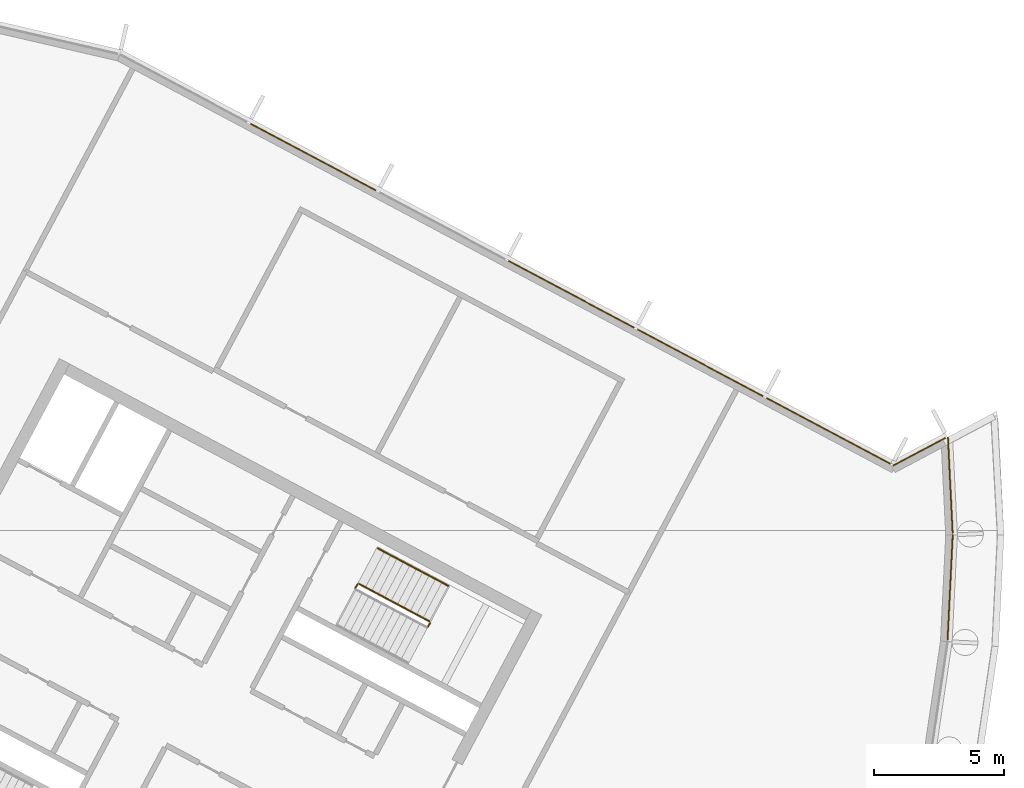
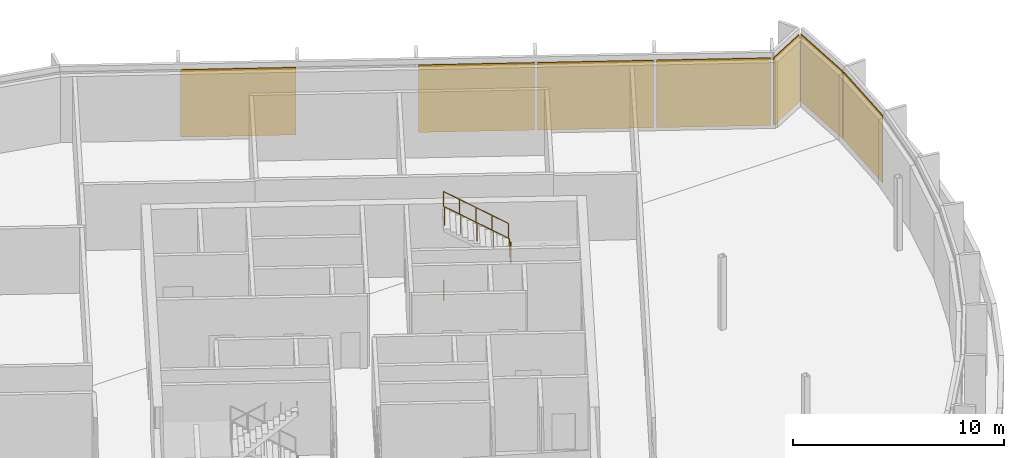
# One storey, part 14 of 15: 7 coverings, 4 railings, 4 elements without a shape of their own.
"""IFC4 building model written with IfcOpenShell, lengths in metres."""

import ifcopenshell
import ifcopenshell.guid

model = None  # the IFC model being written
_history = None  # IfcOwnerHistory: only IFC2X3 demands one
_inside = {}  # id of a spatial element -> (the spatial element, [elements in it])
_under = {}  # id of a project, library or spatial element -> (it, [spatial elements below it])
_declared = {}  # id of a project -> (the project, [libraries it declares])
_typed = {}  # id of a type object -> (the type object, [elements of that type])
_made_of = {}  # id of a material, layer set ... -> (it, [elements and type objects made of it])


def new_model(schema):
    """Start an empty IFC model of exactly this schema.

    Asked for "IFC4X3", IfcOpenShell would pick the latest addendum, in which some entities
    have other attributes; the version numbers below select the first issue.
    IFC2X3 requires an IfcOwnerHistory on every rooted entity: one is made here for all.
    """
    global model, _history
    if schema == "IFC4X3":
        model = ifcopenshell.file(schema_version=(4, 3, 0, 0))
    else:
        model = ifcopenshell.file(schema=schema)
    _inside.clear()
    _under.clear()
    _declared.clear()
    _typed.clear()
    _made_of.clear()
    _history = None
    if model.schema == "IFC2X3":
        org = make("IfcOrganization", Name="unknown")
        user = make(
            "IfcPersonAndOrganization",
            ThePerson=make("IfcPerson", FamilyName="unknown"),
            TheOrganization=org,
        )
        app = make(
            "IfcApplication",
            ApplicationDeveloper=org,
            Version="unknown",
            ApplicationFullName="unknown",
            ApplicationIdentifier="unknown",
        )
        _history = make(
            "IfcOwnerHistory",
            OwningUser=user,
            OwningApplication=app,
            ChangeAction="ADDED",
            CreationDate=0,
        )
    return model


def make(cls, **values):
    """One entity of the class cls with the attributes given. An attribute that is None is left unset."""
    return model.create_entity(
        cls, **{name: value for name, value in values.items() if value is not None}
    )


def rooted(cls, **values):
    """An entity with a GlobalId (a new one), such as an element, a storey or a relation."""
    return make(cls, GlobalId=ifcopenshell.guid.new(), OwnerHistory=_history, **values)


def si_unit(unit_type, name, prefix=None):
    """IfcSIUnit, for example si_unit("LENGTHUNIT", "METRE", prefix="MILLI")."""
    return make("IfcSIUnit", UnitType=unit_type, Prefix=prefix, Name=name)


def assignment(units):
    """IfcUnitAssignment: the units of a project."""
    return None if units is None else make("IfcUnitAssignment", Units=units)


def point(xyz):
    """IfcCartesianPoint."""
    return None if xyz is None else make("IfcCartesianPoint", Coordinates=xyz)


def direction(xyz):
    """IfcDirection."""
    return None if xyz is None else make("IfcDirection", DirectionRatios=xyz)


def frame(location, z_axis=None, x_axis=None):
    """IfcAxis2Placement3D, a coordinate frame: its origin and axes. An axis left out is left unset."""
    return make(
        "IfcAxis2Placement3D",
        Location=point(location),
        Axis=direction(z_axis),
        RefDirection=direction(x_axis),
    )


def frame_2d(location, x_axis=None):
    """IfcAxis2Placement2D, a coordinate frame in the plane: its origin and x axis."""
    return make(
        "IfcAxis2Placement2D", Location=point(location), RefDirection=direction(x_axis)
    )


def origin():
    """The frame at (0, 0, 0) with its axes left unset."""
    return frame((0.0, 0.0, 0.0))


def origin_2d():
    """The frame at (0, 0) in the plane with its x axis left unset."""
    return frame_2d((0.0, 0.0))


def place(relative_to, where):
    """IfcLocalPlacement: puts the frame where relative to a parent placement (None: the world)."""
    return make(
        "IfcLocalPlacement", PlacementRelTo=relative_to, RelativePlacement=where
    )


def context(
    kind, dimensions, precision=None, world=None, true_north=None, identifier=None
):
    """IfcGeometricRepresentationContext, for example the 3D "Model" context."""
    return make(
        "IfcGeometricRepresentationContext",
        ContextIdentifier=identifier,
        ContextType=kind,
        CoordinateSpaceDimension=dimensions,
        Precision=precision,
        WorldCoordinateSystem=world,
        TrueNorth=true_north,
    )


def subcontext(parent, identifier, kind, view, scale=None):
    """IfcGeometricRepresentationSubContext, for example "Body" below "Model"."""
    return make(
        "IfcGeometricRepresentationSubContext",
        ContextIdentifier=identifier,
        ContextType=kind,
        ParentContext=parent,
        TargetScale=scale,
        TargetView=view,
    )


def project(units=None, contexts=None):
    """IfcProject with its units and contexts."""
    return rooted(
        "IfcProject",
        Name="project",
        RepresentationContexts=contexts,
        UnitsInContext=assignment(units),
    )


def spatial(cls, under=None, at=None, **own):
    """A site, building, storey or space (cls), placed at a placement, below another one or the project."""
    s = rooted(cls, ObjectPlacement=at, **own)
    if under is not None:
        _under.setdefault(under.id(), (under, []))[1].append(s)
    return s


def polyline(points):
    """IfcPolyline through the points."""
    return make("IfcPolyline", Points=[point(p) for p in points])


def profile(cls, at=None, kind="AREA", **sizes):
    """A parametric profile (cls). Its sizes go by their IFC names, for example OverallWidth=200.0."""
    return make(cls, ProfileType=kind, Position=at, **sizes)


def rectangle(**sizes):
    """IfcRectangleProfileDef."""
    return profile("IfcRectangleProfileDef", **sizes)


def outline(outer, holes=None, kind="AREA"):
    """IfcArbitraryClosedProfileDef: a profile drawn as a closed curve; with holes, ...WithVoids."""
    if holes is None:
        return make("IfcArbitraryClosedProfileDef", ProfileType=kind, OuterCurve=outer)
    return make(
        "IfcArbitraryProfileDefWithVoids",
        ProfileType=kind,
        OuterCurve=outer,
        InnerCurves=holes,
    )


def extrude(swept, where, along, depth):
    """IfcExtrudedAreaSolid: the profile swept, set in the frame where, extruded along a direction by depth."""
    return make(
        "IfcExtrudedAreaSolid",
        SweptArea=swept,
        Position=where,
        ExtrudedDirection=direction(along),
        Depth=depth,
    )


def shape(context_of_items, identifier, shape_type, items):
    """IfcShapeRepresentation: the items that make up one representation, for example the "Body"."""
    return make(
        "IfcShapeRepresentation",
        ContextOfItems=context_of_items,
        RepresentationIdentifier=identifier,
        RepresentationType=shape_type,
        Items=items,
    )


def material(Name=None, Category=None):
    """IfcMaterial."""
    return make("IfcMaterial", Name=Name, Category=Category)


def layer(
    of_material, thickness, ventilated=None, Name=None, Category=None, Priority=None
):
    """IfcMaterialLayer: one layer of a wall or slab, of a material (None: an air gap)."""
    return make(
        "IfcMaterialLayer",
        Material=of_material,
        LayerThickness=thickness,
        IsVentilated=ventilated,
        Name=Name,
        Category=Category,
        Priority=Priority,
    )


def layer_set(layers, Name=None):
    """IfcMaterialLayerSet."""
    return make("IfcMaterialLayerSet", MaterialLayers=layers, LayerSetName=Name)


def made_of(thing, what):
    """Note that an element or type object is made of a material, layer set ...; save() writes the relation."""
    if what is not None:
        _made_of.setdefault(what.id(), (what, []))[1].append(thing)
    return thing


def type_object(cls, material=None, **own):
    """A type object (cls), such as IfcWallType, which elements share."""
    return made_of(rooted(cls, **own), material)


def element(
    cls,
    number,
    at=None,
    inside=None,
    cuts=None,
    type_object=None,
    material=None,
    context=None,
    identifier="Body",
    shape_type=None,
    held_by="IfcProductDefinitionShape",
    body=None,
    shapes=None,
    **own,
):
    """One element of the class cls, such as IfcWall. Its Tag is "e" and its number.

    at: its placement. inside: the storey or other place that contains it. cuts: it is an
    opening in that element (IfcRelVoidsElement). A single representation is given by context,
    identifier, shape_type and body (its items); several are given by shapes. held_by: the class
    of the entity that holds the representations. save() writes the other relations.
    """
    e = rooted(cls, Tag="e%d" % number, ObjectPlacement=at, **own)
    if body is not None:
        shapes = [shape(context, identifier, shape_type, body)]
    if shapes is not None:
        e.Representation = make(held_by, Representations=shapes)
    if inside is not None:
        _inside.setdefault(inside.id(), (inside, []))[1].append(e)
    if cuts is not None:
        rooted(
            "IfcRelVoidsElement", RelatingBuildingElement=cuts, RelatedOpeningElement=e
        )
    if type_object is not None:
        _typed.setdefault(type_object.id(), (type_object, []))[1].append(e)
    return made_of(e, material)


def aggregate(whole, parts):
    """IfcRelAggregates: a whole, such as a stair, and the parts it consists of."""
    return rooted("IfcRelAggregates", RelatingObject=whole, RelatedObjects=parts)


def save(model, path):
    """Write the relations noted so far, then the file.

    IfcRelAggregates (storeys below a building ...), IfcRelContainedInSpatialStructure (elements
    in a storey), IfcRelDefinesByType, IfcRelAssociatesMaterial and IfcRelDeclares: one each for
    every whole, place, type object, material and project.
    """
    for whole, parts in _under.values():
        aggregate(whole, parts)
    for where, things in _inside.values():
        rooted(
            "IfcRelContainedInSpatialStructure",
            RelatedElements=things,
            RelatingStructure=where,
        )
    for kind, things in _typed.values():
        rooted("IfcRelDefinesByType", RelatedObjects=things, RelatingType=kind)
    for what, things in _made_of.values():
        rooted("IfcRelAssociatesMaterial", RelatedObjects=things, RelatingMaterial=what)
    for by, libraries in _declared.values():
        rooted("IfcRelDeclares", RelatingContext=by, RelatedDefinitions=libraries)
    model.write(path)


model = new_model("IFC4")

# Units and contexts
model_context = context("Model", 3, precision=1e-05, world=origin(), true_north=direction((0.0, 1.0)))
body_context = subcontext(model_context, "Body", "Model", "MODEL_VIEW")
ifc_project = project(units=[si_unit("LENGTHUNIT", "METRE"), si_unit("AREAUNIT", "SQUARE_METRE"), si_unit("VOLUMEUNIT", "CUBIC_METRE"), si_unit("PLANEANGLEUNIT", "RADIAN"), si_unit("MASSUNIT", "GRAM", prefix="KILO")], contexts=[model_context])

# Site, building, storey
site_placement = place(None, origin())
site = spatial("IfcSite", under=ifc_project, at=site_placement, CompositionType="ELEMENT")
building_placement = place(site_placement, origin())
building = spatial("IfcBuilding", under=site, at=building_placement, Name="Cormorant Relay Tower", CompositionType="ELEMENT")
storey_placement = place(building_placement, frame((0.0, 0.0, 336.60009765625)))
storey = spatial("IfcBuildingStorey", under=building, at=storey_placement, Name="C3", CompositionType="ELEMENT", Elevation=336.60009765625)

# Curtain wall, covering
ifc_material_1 = material(Name="Aluminium 6063-T6 anodised bronze", Category="aluminium")
ifc_layer_1 = layer(ifc_material_1, 0.199951171875)
ifc_layer_set_1 = layer_set([ifc_layer_1], Name="CW3 crown screen wall")
curtain_wall_type = type_object("IfcCurtainWallType", Name="CW3 crown screen wall", PredefinedType="NOTDEFINED", material=ifc_layer_set_1)
curtain_wall_1_placement = place(storey_placement, origin())
curtain_wall_1 = element("IfcCurtainWall", 1, at=curtain_wall_1_placement, inside=storey, type_object=curtain_wall_type, Name="CW3 curtain wall 12", PredefinedType="NOTDEFINED")
ifc_material_2 = material(Name="Perforated bronze anodised aluminium screen", Category="aluminium")
ifc_layer_2 = layer(ifc_material_2, 0.0400390625)
ifc_layer_set_2 = layer_set([ifc_layer_2], Name="CW3 perforated bronze screen panel 40")
covering_type = type_object("IfcCoveringType", Name="CW3 perforated bronze screen panel 40", PredefinedType="CLADDING", material=ifc_layer_set_2)
covering_1_placement = place(storey_placement, frame((2.18798828125, 19.104248046875, 0.0), z_axis=(0.0, 0.0, 1.0), x_axis=(0.049067674327, 0.998795456205, 0.0)))
covering_1 = element("IfcCovering", 2, at=covering_1_placement, type_object=covering_type, Name="CW3 panel X00", PredefinedType="CLADDING", context=body_context, shape_type="SweptSolid", body=[
    extrude(rectangle(XDim=4.046630859375, YDim=0.0400390625, at=origin_2d()), origin(), (0.0, 0.0, 1.0), 3.89990234375),
])
aggregate(curtain_wall_1, [covering_1])

curtain_wall_2_placement = place(storey_placement, origin())
curtain_wall_2 = element("IfcCurtainWall", 3, at=curtain_wall_2_placement, inside=storey, type_object=curtain_wall_type, Name="CW3 curtain wall 13", PredefinedType="NOTDEFINED")
covering_2_placement = place(storey_placement, frame((2.193115234375, 23.047119140625, 0.0), z_axis=(0.0, 0.0, 1.0), x_axis=(-0.049067674327, 0.998795456205, 0.0)))
covering_2 = element("IfcCovering", 4, at=covering_2_placement, type_object=covering_type, Name="CW3 panel X00", PredefinedType="CLADDING", context=body_context, shape_type="SweptSolid", body=[
    extrude(rectangle(XDim=3.694580078125, YDim=0.0400390625, at=origin_2d()), origin(), (0.0, 0.0, 1.0), 3.89990234375),
])
aggregate(curtain_wall_2, [covering_2])

curtain_wall_3_placement = place(storey_placement, origin())
curtain_wall_3 = element("IfcCurtainWall", 5, at=curtain_wall_3_placement, inside=storey, type_object=curtain_wall_type, Name="CW3 curtain wall 14", PredefinedType="NOTDEFINED")
covering_3_placement = place(storey_placement, frame((0.998779296875, 24.337646484375, 0.0), z_axis=(0.0, 0.0, 1.0), x_axis=(-0.882947592859, -0.469471562786, 0.0)))
covering_3 = element("IfcCovering", 6, at=covering_3_placement, type_object=covering_type, Name="CW3 panel X00", PredefinedType="CLADDING", context=body_context, shape_type="SweptSolid", body=[
    extrude(rectangle(XDim=2.283447265625, YDim=0.0400390625, at=origin_2d()), origin(), (0.0, 0.0, 1.0), 3.89990234375),
])
aggregate(curtain_wall_3, [covering_3])

# Curtain wall, coverings
curtain_wall_4_placement = place(storey_placement, origin())
curtain_wall_4 = element("IfcCurtainWall", 7, at=curtain_wall_4_placement, inside=storey, type_object=curtain_wall_type, Name="CW3 curtain wall 15", PredefinedType="NOTDEFINED")
covering_4_placement = place(storey_placement, frame((-2.51318359375, 25.142822265625, 0.0), z_axis=(0.0, 0.0, 1.0), x_axis=(-0.882947592859, 0.469471562786, 0.0)))
covering_4 = element("IfcCovering", 8, at=covering_4_placement, type_object=covering_type, Name="CW3 panel X00", PredefinedType="CLADDING", context=body_context, shape_type="SweptSolid", body=[
    extrude(rectangle(XDim=5.4140625, YDim=0.0400390625, at=origin_2d()), origin(), (0.0, 0.0, 1.0), 3.89990234375),
])
covering_5_placement = place(storey_placement, frame((-7.458984375, 27.772705078125, 0.0), z_axis=(0.0, 0.0, 1.0), x_axis=(-0.882947592859, 0.469471562786, 0.0)))
covering_5 = element("IfcCovering", 9, at=covering_5_placement, type_object=covering_type, Name="CW3 panel X01", PredefinedType="CLADDING", context=body_context, shape_type="SweptSolid", body=[
    extrude(rectangle(XDim=5.489013671875, YDim=0.0400390625, at=origin_2d()), origin(), (0.0, 0.0, 1.0), 3.89990234375),
])
covering_6_placement = place(storey_placement, frame((-12.43798828125, 30.419921875, 0.0), z_axis=(0.0, 0.0, 1.0), x_axis=(-0.882947592859, 0.469471562786, 0.0)))
covering_6 = element("IfcCovering", 10, at=covering_6_placement, type_object=covering_type, Name="CW3 panel X02", PredefinedType="CLADDING", context=body_context, shape_type="SweptSolid", body=[
    extrude(rectangle(XDim=5.489013671875, YDim=0.0400390625, at=origin_2d()), origin(), (0.0, 0.0, 1.0), 3.89990234375),
])
covering_7_placement = place(storey_placement, frame((-22.39599609375, 35.714599609375, 0.0), z_axis=(0.0, 0.0, 1.0), x_axis=(-0.882947592859, 0.469471562786, 0.0)))
covering_7 = element("IfcCovering", 11, at=covering_7_placement, type_object=covering_type, Name="CW3 panel X04", PredefinedType="CLADDING", context=body_context, shape_type="SweptSolid", body=[
    extrude(rectangle(XDim=5.489013671875, YDim=0.0400390625, at=origin_2d()), origin(), (0.0, 0.0, 1.0), 3.89990234375),
])
aggregate(curtain_wall_4, [covering_4, covering_5, covering_6, covering_7])

# Railings
ifc_material_3 = material(Name="Steel ASTM A572 Grade 50 (Fy 345 MPa)", Category="steel")
railing_type_1 = type_object("IfcRailingType", Name="Stair guard 1100", PredefinedType="GUARDRAIL", material=ifc_material_3)
railing_1_placement = place(storey_placement, frame((-17.96337890625, 17.592529296875, 2.099853515625)))
element("IfcRailing", 12, at=railing_1_placement, inside=storey, type_object=railing_type_1, Name="C3 A1 stair guard 2", PredefinedType="GUARDRAIL", context=body_context, shape_type="SweptSolid", body=[
    extrude(outline(polyline([(0.022216796875, 0.00927734375), (0.00927734375, 0.022216796875), (-0.00927734375, 0.022216796875), (-0.022216796875, 0.00927734375), (-0.022216796875, -0.00927734375), (-0.00927734375, -0.022216796875), (0.00927734375, -0.022216796875), (0.022216796875, -0.00927734375), (0.022216796875, 0.00927734375)])), frame((0.0, 0.0, 1.076171875), z_axis=(0.46856034887, 0.8834314911, 0.0), x_axis=(-0.8834314911, 0.46856034887, 0.0)), (0.0, 0.0, 1.0), 0.150146484375),
    extrude(outline(polyline([(0.019287109375, 0.008056640625), (0.008056640625, 0.019287109375), (-0.008056640625, 0.019287109375), (-0.019287109375, 0.008056640625), (-0.019287109375, -0.008056640625), (-0.008056640625, -0.019287109375), (0.008056640625, -0.019287109375), (0.019287109375, -0.008056640625), (0.019287109375, 0.008056640625)])), origin(), (0.0, 0.0, 1.0), 1.052001953125),
    extrude(outline(polyline([(0.019287109375, 0.008056640625), (0.008056640625, 0.019287109375), (-0.008056640625, 0.019287109375), (-0.019287109375, 0.008056640625), (-0.019287109375, -0.008056640625), (-0.008056640625, -0.019287109375), (0.008056640625, -0.019287109375), (0.019287109375, -0.008056640625), (0.019287109375, 0.008056640625)])), frame((0.0703125, 0.132568359375, 0.0)), (0.0, 0.0, 1.0), 1.052001953125),
])
railing_2_placement = place(storey_placement, frame((-17.913818359375, 17.792724609375, 2.27490234375)))
element("IfcRailing", 13, at=railing_2_placement, inside=storey, type_object=railing_type_1, Name="C3 A1 stair guard 3", PredefinedType="GUARDRAIL", context=body_context, shape_type="SweptSolid", body=[
    extrude(outline(polyline([(0.022216796875, 0.00927734375), (0.00927734375, 0.022216796875), (-0.00927734375, 0.022216796875), (-0.022216796875, 0.00927734375), (-0.022216796875, -0.00927734375), (-0.00927734375, -0.022216796875), (0.00927734375, -0.022216796875), (0.022216796875, -0.00927734375), (0.022216796875, 0.00927734375)])), frame((0.0, 0.0, 1.076171875), z_axis=(-0.748747275397, 0.39806817173, 0.530018158408), x_axis=(-0.469427602063, -0.882970965786, 0.0)), (0.0, 0.0, 1.0), 3.632080078125),
    extrude(outline(polyline([(0.019287109375, 0.008056640625), (0.008056640625, 0.019287109375), (-0.008056640625, 0.019287109375), (-0.019287109375, 0.008056640625), (-0.019287109375, -0.008056640625), (-0.008056640625, -0.019287109375), (0.008056640625, -0.019287109375), (0.019287109375, -0.008056640625), (0.019287109375, 0.008056640625)])), origin(), (0.0, 0.0, 1.0), 1.052001953125),
    extrude(outline(polyline([(0.019287109375, 0.008056640625), (0.008056640625, 0.019287109375), (-0.008056640625, 0.019287109375), (-0.019287109375, 0.008056640625), (-0.019287109375, -0.008056640625), (-0.008056640625, -0.019287109375), (0.008056640625, -0.019287109375), (0.019287109375, -0.008056640625), (0.019287109375, 0.008056640625)])), frame((-0.679931640625, 0.361328125, 0.481201171875)), (0.0, 0.0, 1.0), 1.052001953125),
    extrude(outline(polyline([(0.019287109375, 0.008056640625), (0.008056640625, 0.019287109375), (-0.008056640625, 0.019287109375), (-0.019287109375, 0.008056640625), (-0.019287109375, -0.008056640625), (-0.008056640625, -0.019287109375), (0.008056640625, -0.019287109375), (0.019287109375, -0.008056640625), (0.019287109375, 0.008056640625)])), frame((-1.35986328125, 0.722900390625, 0.96240234375)), (0.0, 0.0, 1.0), 1.052001953125),
    extrude(outline(polyline([(0.019287109375, 0.008056640625), (0.008056640625, 0.019287109375), (-0.008056640625, 0.019287109375), (-0.019287109375, 0.008056640625), (-0.019287109375, -0.008056640625), (-0.008056640625, -0.019287109375), (0.008056640625, -0.019287109375), (0.019287109375, -0.008056640625), (0.019287109375, 0.008056640625)])), frame((-2.03955078125, 1.08447265625, 1.44384765625)), (0.0, 0.0, 1.0), 1.052001953125),
    extrude(outline(polyline([(0.019287109375, 0.008056640625), (0.008056640625, 0.019287109375), (-0.008056640625, 0.019287109375), (-0.019287109375, 0.008056640625), (-0.019287109375, -0.008056640625), (-0.008056640625, -0.019287109375), (0.008056640625, -0.019287109375), (0.019287109375, -0.008056640625), (0.019287109375, 0.008056640625)])), frame((-2.719482421875, 1.44580078125, 1.925048828125)), (0.0, 0.0, 1.0), 1.052001953125),
])
railing_3_placement = place(storey_placement, frame((-20.771240234375, 19.08544921875, 0.0)))
element("IfcRailing", 14, at=railing_3_placement, inside=storey, type_object=railing_type_1, Name="C3 A1 stair guard 4", PredefinedType="GUARDRAIL", context=body_context, shape_type="SweptSolid", body=[
    extrude(outline(polyline([(0.022216796875, 0.00927734375), (0.00927734375, 0.022216796875), (-0.00927734375, 0.022216796875), (-0.022216796875, 0.00927734375), (-0.022216796875, -0.00927734375), (-0.00927734375, -0.022216796875), (0.00927734375, -0.022216796875), (0.022216796875, -0.00927734375), (0.022216796875, 0.00927734375)])), frame((0.0, 0.0, 1.076171875), z_axis=(0.469828648786, 0.882757634224, 0.0), x_axis=(-0.882757634224, 0.469828648786, 0.0)), (0.0, 0.0, 1.0), 0.150146484375),
    extrude(outline(polyline([(0.019287109375, 0.008056640625), (0.008056640625, 0.019287109375), (-0.008056640625, 0.019287109375), (-0.019287109375, 0.008056640625), (-0.019287109375, -0.008056640625), (-0.008056640625, -0.019287109375), (0.008056640625, -0.019287109375), (0.019287109375, -0.008056640625), (0.019287109375, 0.008056640625)])), origin(), (0.0, 0.0, 1.0), 1.052001953125),
    extrude(outline(polyline([(0.019287109375, 0.008056640625), (0.008056640625, 0.019287109375), (-0.008056640625, 0.019287109375), (-0.019287109375, 0.008056640625), (-0.019287109375, -0.008056640625), (-0.008056640625, -0.019287109375), (0.008056640625, -0.019287109375), (0.019287109375, -0.008056640625), (0.019287109375, 0.008056640625)])), frame((0.070556640625, 0.132568359375, 0.0)), (0.0, 0.0, 1.0), 1.052001953125),
])
ifc_material_4 = material(Name="Steel ASTM A572 Grade 50 (Fy 345 MPa)", Category="steel")
railing_type_2 = type_object("IfcRailingType", Name="Stair handrail 900", PredefinedType="HANDRAIL", material=ifc_material_4)
railing_4_placement = place(storey_placement, frame((-17.18603515625, 19.1611328125, 2.27490234375)))
element("IfcRailing", 15, at=railing_4_placement, inside=storey, type_object=railing_type_2, Name="C3 A1 stair handrail 2", PredefinedType="HANDRAIL", context=body_context, shape_type="SweptSolid", body=[
    extrude(outline(polyline([(0.022216796875, 0.00927734375), (0.00927734375, 0.022216796875), (-0.00927734375, 0.022216796875), (-0.022216796875, 0.00927734375), (-0.022216796875, -0.00927734375), (-0.00927734375, -0.022216796875), (0.00927734375, -0.022216796875), (0.022216796875, -0.00927734375), (0.022216796875, 0.00927734375)])), frame((0.0, 0.0, 0.8759765625), z_axis=(-0.748727239859, 0.398124736663, 0.530003975787), x_axis=(-0.469489399267, -0.882938108802, 0.0)), (0.0, 0.0, 1.0), 3.632080078125),
    extrude(outline(polyline([(0.019287109375, 0.008056640625), (0.008056640625, 0.019287109375), (-0.008056640625, 0.019287109375), (-0.019287109375, 0.008056640625), (-0.019287109375, -0.008056640625), (-0.008056640625, -0.019287109375), (0.008056640625, -0.019287109375), (0.019287109375, -0.008056640625), (0.019287109375, 0.008056640625)])), origin(), (0.0, 0.0, 1.0), 0.851806640625),
    extrude(outline(polyline([(0.019287109375, 0.008056640625), (0.008056640625, 0.019287109375), (-0.008056640625, 0.019287109375), (-0.019287109375, 0.008056640625), (-0.019287109375, -0.008056640625), (-0.008056640625, -0.019287109375), (0.008056640625, -0.019287109375), (0.019287109375, -0.008056640625), (0.019287109375, 0.008056640625)])), frame((-0.679931640625, 0.361572265625, 0.481201171875)), (0.0, 0.0, 1.0), 0.851806640625),
    extrude(outline(polyline([(0.019287109375, 0.008056640625), (0.008056640625, 0.019287109375), (-0.008056640625, 0.019287109375), (-0.019287109375, 0.008056640625), (-0.019287109375, -0.008056640625), (-0.008056640625, -0.019287109375), (0.008056640625, -0.019287109375), (0.019287109375, -0.008056640625), (0.019287109375, 0.008056640625)])), frame((-1.35986328125, 0.72314453125, 0.96240234375)), (0.0, 0.0, 1.0), 0.851806640625),
    extrude(outline(polyline([(0.019287109375, 0.008056640625), (0.008056640625, 0.019287109375), (-0.008056640625, 0.019287109375), (-0.019287109375, 0.008056640625), (-0.019287109375, -0.008056640625), (-0.008056640625, -0.019287109375), (0.008056640625, -0.019287109375), (0.019287109375, -0.008056640625), (0.019287109375, 0.008056640625)])), frame((-2.03955078125, 1.08447265625, 1.44384765625)), (0.0, 0.0, 1.0), 0.851806640625),
    extrude(outline(polyline([(0.019287109375, 0.008056640625), (0.008056640625, 0.019287109375), (-0.008056640625, 0.019287109375), (-0.019287109375, 0.008056640625), (-0.019287109375, -0.008056640625), (-0.008056640625, -0.019287109375), (0.008056640625, -0.019287109375), (0.019287109375, -0.008056640625), (0.019287109375, 0.008056640625)])), frame((-2.719482421875, 1.446044921875, 1.925048828125)), (0.0, 0.0, 1.0), 0.851806640625),
])

save(model, "model.ifc")
